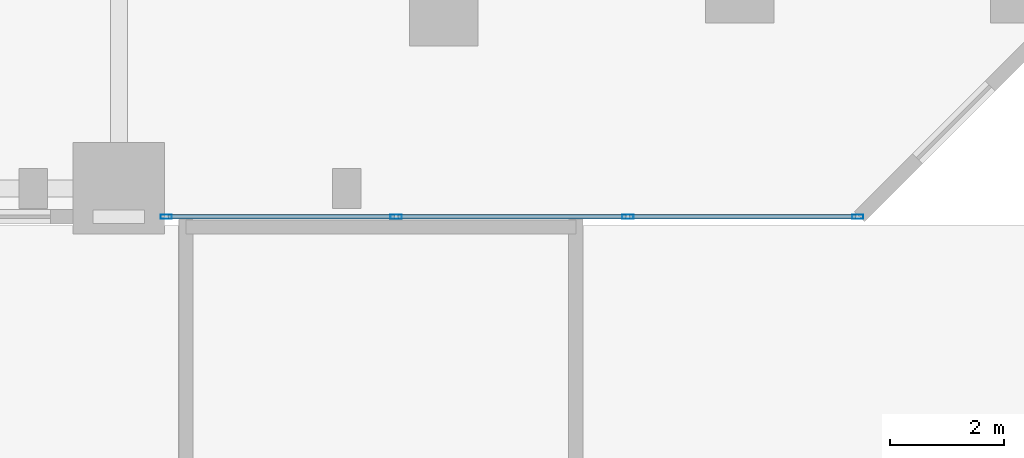
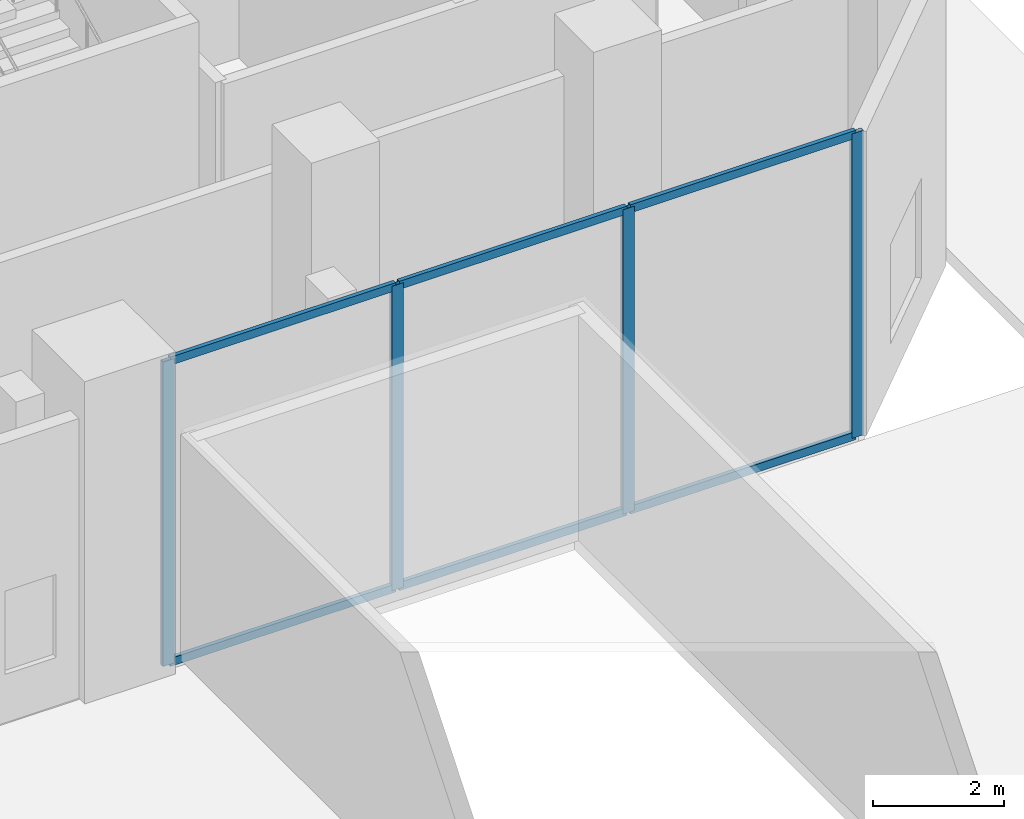
# One storey, part 4 of 26: 10 members, 1 element without a shape of its own.
"""IFC4 building model written with IfcOpenShell, lengths in metres."""

from ifc_helpers import new_model, si_unit, direction, frame, origin, origin_2d, place, context, subcontext, project, spatial, hollow_rectangle, extrude, material, layer, layer_set, material_profile, profile_set, type_object, element, aggregate, save


model = new_model("IFC4")

# Units and contexts
model_context = context("Model", 3, precision=1e-05, world=origin(), true_north=direction((0.0, 1.0)))
body_context = subcontext(model_context, "Body", "Model", "MODEL_VIEW")
ifc_project = project(units=[si_unit("LENGTHUNIT", "METRE"), si_unit("AREAUNIT", "SQUARE_METRE"), si_unit("VOLUMEUNIT", "CUBIC_METRE"), si_unit("PLANEANGLEUNIT", "RADIAN"), si_unit("MASSUNIT", "GRAM", prefix="KILO")], contexts=[model_context])

# Site, building, storey
site_placement = place(None, origin())
site = spatial("IfcSite", under=ifc_project, at=site_placement, CompositionType="ELEMENT")
building_placement = place(site_placement, origin())
building = spatial("IfcBuilding", under=site, at=building_placement, Name="Catumbela Crestline Tower", CompositionType="ELEMENT")
storey_placement = place(building_placement, origin())
storey = spatial("IfcBuildingStorey", under=building, at=storey_placement, Name="L00", CompositionType="ELEMENT", Elevation=0.0)

# Curtain wall, members
ifc_material = material(Name="Aluminium alloy AW-6060-T66", Category="aluminium")
ifc_layer = layer(ifc_material, 0.18, Name="Aluminium alloy AW-6060-T66")
ifc_layer_set = layer_set([ifc_layer], Name="Aluminium alloy AW-6060-T66")
curtain_wall_type = type_object("IfcCurtainWallType", Name="CWS-POD", PredefinedType="USERDEFINED", material=ifc_layer_set)
curtain_wall_placement = place(storey_placement, origin())
curtain_wall = element("IfcCurtainWall", 1, at=curtain_wall_placement, inside=storey, type_object=curtain_wall_type, Name="L00 Stick Curtain Wall CW-L00-E3S5", ObjectType="STICK", PredefinedType="USERDEFINED")
ifc_material_profile_1 = material_profile(ifc_material, hollow_rectangle(XDim=0.075, YDim=0.2, WallThickness=0.005, at=origin_2d()), Name="ALU 200x75x5")
ifc_profile_set_1 = profile_set([ifc_material_profile_1], Name="Aluminium alloy AW-6060-T66")
member_type_1 = type_object("IfcMemberType", Name="MUL-200X75", PredefinedType="MULLION", material=ifc_profile_set_1)
member_1_placement = place(storey_placement, frame((40.3325, 24.0, 0.0), z_axis=(0.0, 0.0, 1.0), x_axis=(0.0, 1.0, 0.0)))
member_1 = element("IfcMember", 2, at=member_1_placement, type_object=member_type_1, Name="CWS-POD mullion 1", PredefinedType="MULLION", context=body_context, shape_type="SweptSolid", body=[
    extrude(hollow_rectangle(XDim=0.075, YDim=0.2, WallThickness=0.005, at=origin_2d()), origin(), (0.0, 0.0, 1.0), 5.67),
])
member_2_placement = place(storey_placement, frame((44.3667, 24.0, 0.0), z_axis=(0.0, 0.0, 1.0), x_axis=(0.0, 1.0, 0.0)))
member_2 = element("IfcMember", 3, at=member_2_placement, type_object=member_type_1, Name="CWS-POD mullion 2", PredefinedType="MULLION", context=body_context, shape_type="SweptSolid", body=[
    extrude(hollow_rectangle(XDim=0.075, YDim=0.2, WallThickness=0.005, at=origin_2d()), origin(), (0.0, 0.0, 1.0), 5.67),
])
member_3_placement = place(storey_placement, frame((48.4333, 24.0, 0.0), z_axis=(0.0, 0.0, 1.0), x_axis=(0.0, 1.0, 0.0)))
member_3 = element("IfcMember", 4, at=member_3_placement, type_object=member_type_1, Name="CWS-POD mullion 3", PredefinedType="MULLION", context=body_context, shape_type="SweptSolid", body=[
    extrude(hollow_rectangle(XDim=0.075, YDim=0.2, WallThickness=0.005, at=origin_2d()), origin(), (0.0, 0.0, 1.0), 5.67),
])
member_4_placement = place(storey_placement, frame((52.4675, 24.0, 0.0), z_axis=(0.0, 0.0, 1.0), x_axis=(0.0, 1.0, 0.0)))
member_4 = element("IfcMember", 5, at=member_4_placement, type_object=member_type_1, Name="CWS-POD mullion 4", PredefinedType="MULLION", context=body_context, shape_type="SweptSolid", body=[
    extrude(hollow_rectangle(XDim=0.075, YDim=0.2, WallThickness=0.005, at=origin_2d()), origin(), (0.0, 0.0, 1.0), 5.67),
])
ifc_material_profile_2 = material_profile(ifc_material, hollow_rectangle(XDim=0.075, YDim=0.15, WallThickness=0.0045, at=origin_2d()), Name="ALU 150x75x4.5")
ifc_profile_set_2 = profile_set([ifc_material_profile_2], Name="Aluminium alloy AW-6060-T66")
member_type_2 = type_object("IfcMemberType", Name="TRN-150X75", PredefinedType="USERDEFINED", material=ifc_profile_set_2)
member_5_placement = place(storey_placement, frame((40.365, 24.0, 0.03), z_axis=(1.0, 0.0, 0.0), x_axis=(0.0, 1.0, 0.0)))
member_5 = element("IfcMember", 6, at=member_5_placement, type_object=member_type_2, Name="CWS-POD transom 1.1", ObjectType="TRANSOM", PredefinedType="USERDEFINED", context=body_context, shape_type="SweptSolid", body=[
    extrude(hollow_rectangle(XDim=0.075, YDim=0.15, WallThickness=0.0045, at=origin_2d()), origin(), (0.0, 0.0, 1.0), 3.9692),
])
member_6_placement = place(storey_placement, frame((40.365, 24.0, 5.64), z_axis=(1.0, 0.0, 0.0), x_axis=(0.0, 1.0, 0.0)))
member_6 = element("IfcMember", 7, at=member_6_placement, type_object=member_type_2, Name="CWS-POD transom 1.2", ObjectType="TRANSOM", PredefinedType="USERDEFINED", context=body_context, shape_type="SweptSolid", body=[
    extrude(hollow_rectangle(XDim=0.075, YDim=0.15, WallThickness=0.0045, at=origin_2d()), origin(), (0.0, 0.0, 1.0), 3.9692),
])
member_7_placement = place(storey_placement, frame((44.3992, 24.0, 0.03), z_axis=(1.0, 0.0, 0.0), x_axis=(0.0, 1.0, 0.0)))
member_7 = element("IfcMember", 8, at=member_7_placement, type_object=member_type_2, Name="CWS-POD transom 2.1", ObjectType="TRANSOM", PredefinedType="USERDEFINED", context=body_context, shape_type="SweptSolid", body=[
    extrude(hollow_rectangle(XDim=0.075, YDim=0.15, WallThickness=0.0045, at=origin_2d()), origin(), (0.0, 0.0, 1.0), 4.0016),
])
member_8_placement = place(storey_placement, frame((44.3992, 24.0, 5.64), z_axis=(1.0, 0.0, 0.0), x_axis=(0.0, 1.0, 0.0)))
member_8 = element("IfcMember", 9, at=member_8_placement, type_object=member_type_2, Name="CWS-POD transom 2.2", ObjectType="TRANSOM", PredefinedType="USERDEFINED", context=body_context, shape_type="SweptSolid", body=[
    extrude(hollow_rectangle(XDim=0.075, YDim=0.15, WallThickness=0.0045, at=origin_2d()), origin(), (0.0, 0.0, 1.0), 4.0016),
])
member_9_placement = place(storey_placement, frame((48.4658, 24.0, 0.03), z_axis=(1.0, 0.0, 0.0), x_axis=(0.0, 1.0, 0.0)))
member_9 = element("IfcMember", 10, at=member_9_placement, type_object=member_type_2, Name="CWS-POD transom 3.1", ObjectType="TRANSOM", PredefinedType="USERDEFINED", context=body_context, shape_type="SweptSolid", body=[
    extrude(hollow_rectangle(XDim=0.075, YDim=0.15, WallThickness=0.0045, at=origin_2d()), origin(), (0.0, 0.0, 1.0), 3.9692),
])
member_10_placement = place(storey_placement, frame((48.4658, 24.0, 5.64), z_axis=(1.0, 0.0, 0.0), x_axis=(0.0, 1.0, 0.0)))
member_10 = element("IfcMember", 11, at=member_10_placement, type_object=member_type_2, Name="CWS-POD transom 3.2", ObjectType="TRANSOM", PredefinedType="USERDEFINED", context=body_context, shape_type="SweptSolid", body=[
    extrude(hollow_rectangle(XDim=0.075, YDim=0.15, WallThickness=0.0045, at=origin_2d()), origin(), (0.0, 0.0, 1.0), 3.9692),
])
aggregate(curtain_wall, [member_1, member_2, member_3, member_4, member_5, member_6, member_7, member_8, member_9, member_10])

save(model, "model.ifc")
